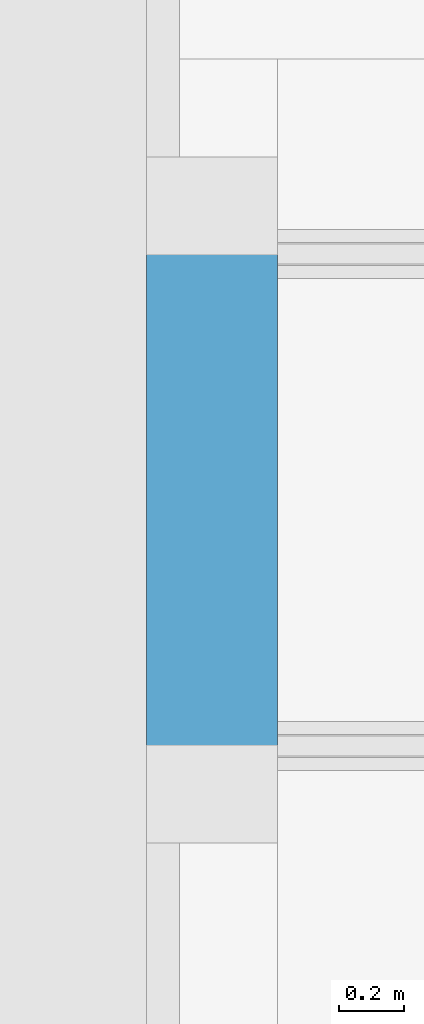
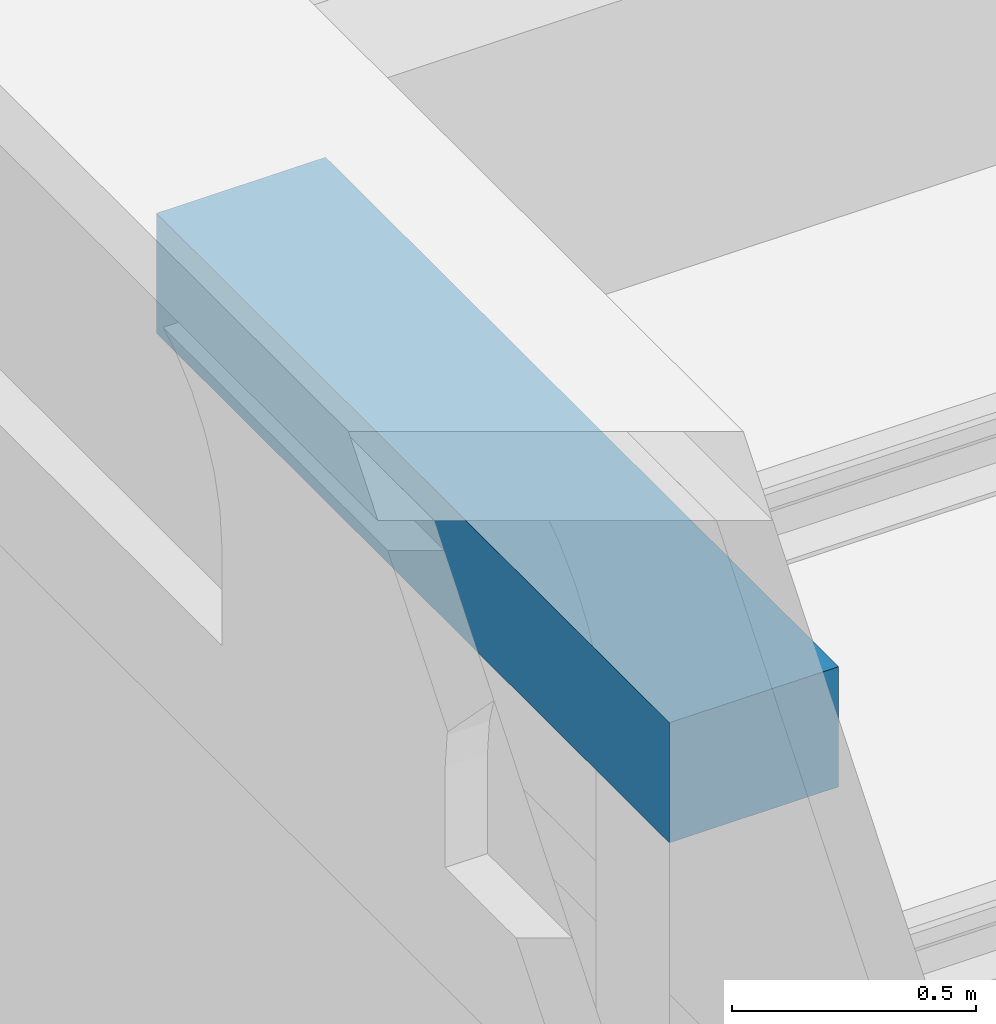
# One storey, part 145 of 250: 1 discrete accessory.
"""IFC4 building model written with IfcOpenShell, lengths in metres."""

from ifc_helpers import new_model, si_unit, direction, frame, origin, origin_2d, place, context, subcontext, project, spatial, rectangle, extrude, material, type_object, element, save


model = new_model("IFC4")

# Units and contexts
model_context = context("Model", 3, precision=1e-05, world=origin(), true_north=direction((0.0, 1.0)))
body_context = subcontext(model_context, "Body", "Model", "MODEL_VIEW")
ifc_project = project(units=[si_unit("LENGTHUNIT", "METRE"), si_unit("AREAUNIT", "SQUARE_METRE"), si_unit("VOLUMEUNIT", "CUBIC_METRE"), si_unit("PLANEANGLEUNIT", "RADIAN"), si_unit("MASSUNIT", "GRAM", prefix="KILO")], contexts=[model_context])

# Site, building, storey
site_placement = place(None, origin())
site = spatial("IfcSite", under=ifc_project, at=site_placement, CompositionType="ELEMENT")
building_placement = place(site_placement, origin())
building = spatial("IfcBuilding", under=site, at=building_placement, Name="Baradari Gate Terminus", CompositionType="ELEMENT")
storey_placement = place(building_placement, origin())
storey = spatial("IfcBuildingStorey", under=building, at=storey_placement, Name="L00", CompositionType="ELEMENT", Elevation=0.0)

# Discrete accessory
ifc_material = material(Name="Steel S355", Category="steel")
discrete_accessory_type = type_object("IfcDiscreteAccessoryType", Name="Buffer stop beam BF2 400x2100x300", PredefinedType="USERDEFINED", material=ifc_material)
discrete_accessory_placement = place(storey_placement, frame((4.199951171875, 65.25, 0.078125), z_axis=(0.0, 0.0, 1.0), x_axis=(1.0, 0.0, 0.0)))
element("IfcDiscreteAccessory", 1, at=discrete_accessory_placement, inside=storey, type_object=discrete_accessory_type, Name="Buffer stop T4W beam", ObjectType="BUFFER STOP", PredefinedType="USERDEFINED", context=body_context, shape_type="SweptSolid", body=[
    extrude(rectangle(XDim=0.39990234375, YDim=2.10009765625, at=origin_2d()), origin(), (0.0, 0.0, 1.0), 0.300048828125),
])

save(model, "model.ifc")
